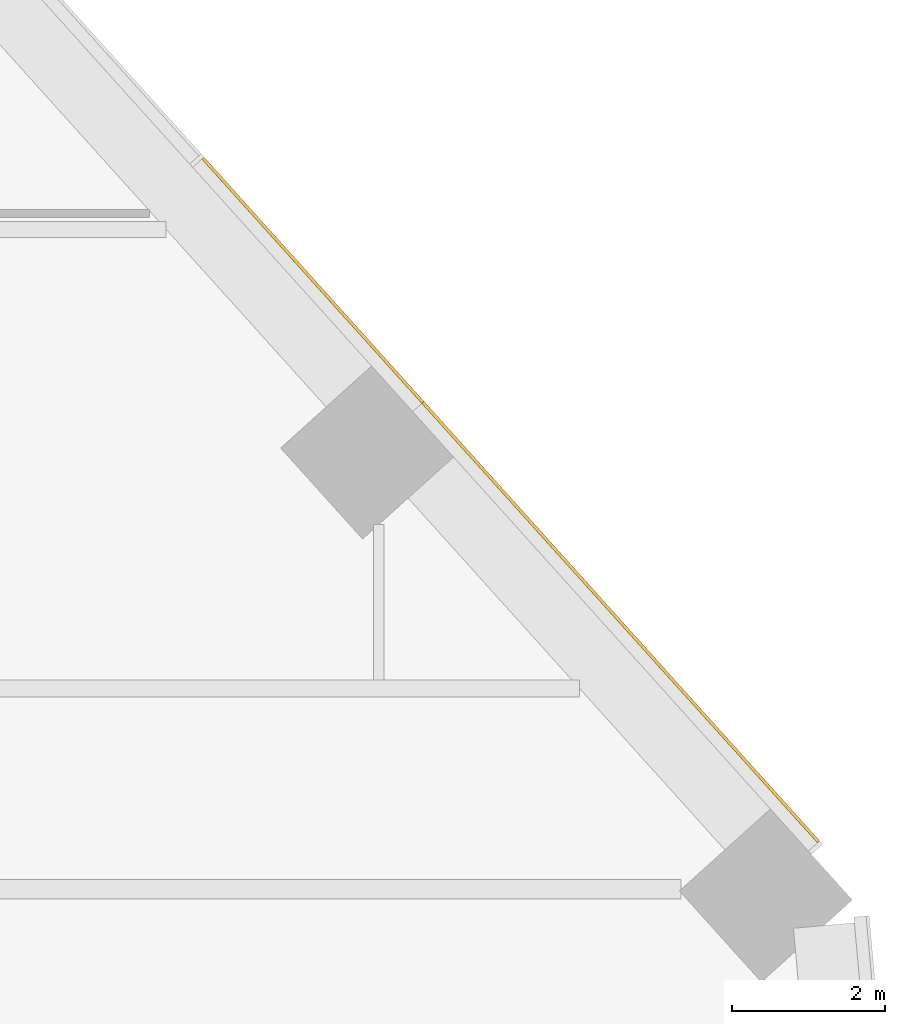
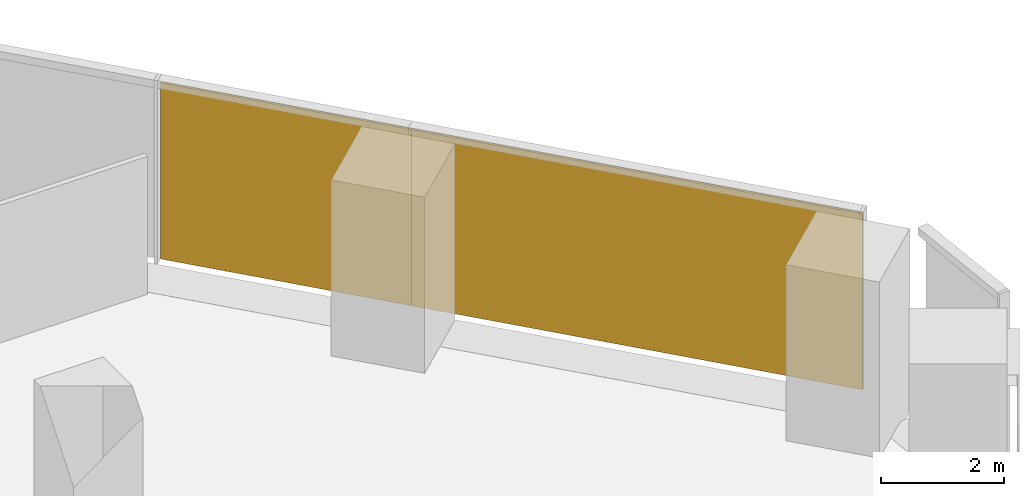
# One storey, part 21 of 21: 2 coverings, 1 element without a shape of its own.
"""IFC4 building model written with IfcOpenShell, lengths in metres."""

import ifcopenshell
import ifcopenshell.guid

model = None  # the IFC model being written
_history = None  # IfcOwnerHistory: only IFC2X3 demands one
_inside = {}  # id of a spatial element -> (the spatial element, [elements in it])
_under = {}  # id of a project, library or spatial element -> (it, [spatial elements below it])
_declared = {}  # id of a project -> (the project, [libraries it declares])
_typed = {}  # id of a type object -> (the type object, [elements of that type])
_made_of = {}  # id of a material, layer set ... -> (it, [elements and type objects made of it])


def new_model(schema):
    """Start an empty IFC model of exactly this schema.

    Asked for "IFC4X3", IfcOpenShell would pick the latest addendum, in which some entities
    have other attributes; the version numbers below select the first issue.
    IFC2X3 requires an IfcOwnerHistory on every rooted entity: one is made here for all.
    """
    global model, _history
    if schema == "IFC4X3":
        model = ifcopenshell.file(schema_version=(4, 3, 0, 0))
    else:
        model = ifcopenshell.file(schema=schema)
    _inside.clear()
    _under.clear()
    _declared.clear()
    _typed.clear()
    _made_of.clear()
    _history = None
    if model.schema == "IFC2X3":
        org = make("IfcOrganization", Name="unknown")
        user = make(
            "IfcPersonAndOrganization",
            ThePerson=make("IfcPerson", FamilyName="unknown"),
            TheOrganization=org,
        )
        app = make(
            "IfcApplication",
            ApplicationDeveloper=org,
            Version="unknown",
            ApplicationFullName="unknown",
            ApplicationIdentifier="unknown",
        )
        _history = make(
            "IfcOwnerHistory",
            OwningUser=user,
            OwningApplication=app,
            ChangeAction="ADDED",
            CreationDate=0,
        )
    return model


def make(cls, **values):
    """One entity of the class cls with the attributes given. An attribute that is None is left unset."""
    return model.create_entity(
        cls, **{name: value for name, value in values.items() if value is not None}
    )


def rooted(cls, **values):
    """An entity with a GlobalId (a new one), such as an element, a storey or a relation."""
    return make(cls, GlobalId=ifcopenshell.guid.new(), OwnerHistory=_history, **values)


def si_unit(unit_type, name, prefix=None):
    """IfcSIUnit, for example si_unit("LENGTHUNIT", "METRE", prefix="MILLI")."""
    return make("IfcSIUnit", UnitType=unit_type, Prefix=prefix, Name=name)


def assignment(units):
    """IfcUnitAssignment: the units of a project."""
    return None if units is None else make("IfcUnitAssignment", Units=units)


def point(xyz):
    """IfcCartesianPoint."""
    return None if xyz is None else make("IfcCartesianPoint", Coordinates=xyz)


def direction(xyz):
    """IfcDirection."""
    return None if xyz is None else make("IfcDirection", DirectionRatios=xyz)


def frame(location, z_axis=None, x_axis=None):
    """IfcAxis2Placement3D, a coordinate frame: its origin and axes. An axis left out is left unset."""
    return make(
        "IfcAxis2Placement3D",
        Location=point(location),
        Axis=direction(z_axis),
        RefDirection=direction(x_axis),
    )


def frame_2d(location, x_axis=None):
    """IfcAxis2Placement2D, a coordinate frame in the plane: its origin and x axis."""
    return make(
        "IfcAxis2Placement2D", Location=point(location), RefDirection=direction(x_axis)
    )


def origin():
    """The frame at (0, 0, 0) with its axes left unset."""
    return frame((0.0, 0.0, 0.0))


def origin_2d():
    """The frame at (0, 0) in the plane with its x axis left unset."""
    return frame_2d((0.0, 0.0))


def place(relative_to, where):
    """IfcLocalPlacement: puts the frame where relative to a parent placement (None: the world)."""
    return make(
        "IfcLocalPlacement", PlacementRelTo=relative_to, RelativePlacement=where
    )


def context(
    kind, dimensions, precision=None, world=None, true_north=None, identifier=None
):
    """IfcGeometricRepresentationContext, for example the 3D "Model" context."""
    return make(
        "IfcGeometricRepresentationContext",
        ContextIdentifier=identifier,
        ContextType=kind,
        CoordinateSpaceDimension=dimensions,
        Precision=precision,
        WorldCoordinateSystem=world,
        TrueNorth=true_north,
    )


def subcontext(parent, identifier, kind, view, scale=None):
    """IfcGeometricRepresentationSubContext, for example "Body" below "Model"."""
    return make(
        "IfcGeometricRepresentationSubContext",
        ContextIdentifier=identifier,
        ContextType=kind,
        ParentContext=parent,
        TargetScale=scale,
        TargetView=view,
    )


def project(units=None, contexts=None):
    """IfcProject with its units and contexts."""
    return rooted(
        "IfcProject",
        Name="project",
        RepresentationContexts=contexts,
        UnitsInContext=assignment(units),
    )


def spatial(cls, under=None, at=None, **own):
    """A site, building, storey or space (cls), placed at a placement, below another one or the project."""
    s = rooted(cls, ObjectPlacement=at, **own)
    if under is not None:
        _under.setdefault(under.id(), (under, []))[1].append(s)
    return s


def profile(cls, at=None, kind="AREA", **sizes):
    """A parametric profile (cls). Its sizes go by their IFC names, for example OverallWidth=200.0."""
    return make(cls, ProfileType=kind, Position=at, **sizes)


def rectangle(**sizes):
    """IfcRectangleProfileDef."""
    return profile("IfcRectangleProfileDef", **sizes)


def extrude(swept, where, along, depth):
    """IfcExtrudedAreaSolid: the profile swept, set in the frame where, extruded along a direction by depth."""
    return make(
        "IfcExtrudedAreaSolid",
        SweptArea=swept,
        Position=where,
        ExtrudedDirection=direction(along),
        Depth=depth,
    )


def shape(context_of_items, identifier, shape_type, items):
    """IfcShapeRepresentation: the items that make up one representation, for example the "Body"."""
    return make(
        "IfcShapeRepresentation",
        ContextOfItems=context_of_items,
        RepresentationIdentifier=identifier,
        RepresentationType=shape_type,
        Items=items,
    )


def material(Name=None, Category=None):
    """IfcMaterial."""
    return make("IfcMaterial", Name=Name, Category=Category)


def layer(
    of_material, thickness, ventilated=None, Name=None, Category=None, Priority=None
):
    """IfcMaterialLayer: one layer of a wall or slab, of a material (None: an air gap)."""
    return make(
        "IfcMaterialLayer",
        Material=of_material,
        LayerThickness=thickness,
        IsVentilated=ventilated,
        Name=Name,
        Category=Category,
        Priority=Priority,
    )


def layer_set(layers, Name=None):
    """IfcMaterialLayerSet."""
    return make("IfcMaterialLayerSet", MaterialLayers=layers, LayerSetName=Name)


def made_of(thing, what):
    """Note that an element or type object is made of a material, layer set ...; save() writes the relation."""
    if what is not None:
        _made_of.setdefault(what.id(), (what, []))[1].append(thing)
    return thing


def type_object(cls, material=None, **own):
    """A type object (cls), such as IfcWallType, which elements share."""
    return made_of(rooted(cls, **own), material)


def element(
    cls,
    number,
    at=None,
    inside=None,
    cuts=None,
    type_object=None,
    material=None,
    context=None,
    identifier="Body",
    shape_type=None,
    held_by="IfcProductDefinitionShape",
    body=None,
    shapes=None,
    **own,
):
    """One element of the class cls, such as IfcWall. Its Tag is "e" and its number.

    at: its placement. inside: the storey or other place that contains it. cuts: it is an
    opening in that element (IfcRelVoidsElement). A single representation is given by context,
    identifier, shape_type and body (its items); several are given by shapes. held_by: the class
    of the entity that holds the representations. save() writes the other relations.
    """
    e = rooted(cls, Tag="e%d" % number, ObjectPlacement=at, **own)
    if body is not None:
        shapes = [shape(context, identifier, shape_type, body)]
    if shapes is not None:
        e.Representation = make(held_by, Representations=shapes)
    if inside is not None:
        _inside.setdefault(inside.id(), (inside, []))[1].append(e)
    if cuts is not None:
        rooted(
            "IfcRelVoidsElement", RelatingBuildingElement=cuts, RelatedOpeningElement=e
        )
    if type_object is not None:
        _typed.setdefault(type_object.id(), (type_object, []))[1].append(e)
    return made_of(e, material)


def aggregate(whole, parts):
    """IfcRelAggregates: a whole, such as a stair, and the parts it consists of."""
    return rooted("IfcRelAggregates", RelatingObject=whole, RelatedObjects=parts)


def save(model, path):
    """Write the relations noted so far, then the file.

    IfcRelAggregates (storeys below a building ...), IfcRelContainedInSpatialStructure (elements
    in a storey), IfcRelDefinesByType, IfcRelAssociatesMaterial and IfcRelDeclares: one each for
    every whole, place, type object, material and project.
    """
    for whole, parts in _under.values():
        aggregate(whole, parts)
    for where, things in _inside.values():
        rooted(
            "IfcRelContainedInSpatialStructure",
            RelatedElements=things,
            RelatingStructure=where,
        )
    for kind, things in _typed.values():
        rooted("IfcRelDefinesByType", RelatedObjects=things, RelatingType=kind)
    for what, things in _made_of.values():
        rooted("IfcRelAssociatesMaterial", RelatedObjects=things, RelatingMaterial=what)
    for by, libraries in _declared.values():
        rooted("IfcRelDeclares", RelatingContext=by, RelatedDefinitions=libraries)
    model.write(path)


model = new_model("IFC4")

# Units and contexts
model_context = context("Model", 3, precision=1e-05, world=origin(), true_north=direction((0.0, 1.0)))
body_context = subcontext(model_context, "Body", "Model", "MODEL_VIEW")
ifc_project = project(units=[si_unit("LENGTHUNIT", "METRE"), si_unit("AREAUNIT", "SQUARE_METRE"), si_unit("VOLUMEUNIT", "CUBIC_METRE"), si_unit("PLANEANGLEUNIT", "RADIAN"), si_unit("MASSUNIT", "GRAM", prefix="KILO")], contexts=[model_context])

# Site, building, storey
site_placement = place(None, origin())
site = spatial("IfcSite", under=ifc_project, at=site_placement, CompositionType="ELEMENT")
building_placement = place(site_placement, origin())
building = spatial("IfcBuilding", under=site, at=building_placement, Name="Isthmus Gate Tower", CompositionType="ELEMENT")
storey_placement = place(building_placement, frame((0.0, 0.0, 106.199951171875)))
storey = spatial("IfcBuildingStorey", under=building, at=storey_placement, Name="L25", CompositionType="ELEMENT", Elevation=106.199951171875)

# Curtain wall, coverings
ifc_material_1 = material(Name="Aluminium, pale champagne anodised", Category="aluminium")
ifc_layer_1 = layer(ifc_material_1, 0.199951171875)
ifc_layer_set_1 = layer_set([ifc_layer_1], Name="CW-1 UNITISED CURTAIN WALL 200 DEEP")
curtain_wall_type = type_object("IfcCurtainWallType", Name="CW-1 UNITISED CURTAIN WALL 200 DEEP", PredefinedType="NOTDEFINED", material=ifc_layer_set_1)
curtain_wall_placement = place(storey_placement, origin())
curtain_wall = element("IfcCurtainWall", 1, at=curtain_wall_placement, inside=storey, type_object=curtain_wall_type, Name="CW-1 NE L25", PredefinedType="NOTDEFINED")
ifc_material_2 = material(Name="Aluminium composite panel, pale champagne anodised", Category="aluminium")
ifc_layer_2 = layer(ifc_material_2, 0.0400390625)
ifc_layer_set_2 = layer_set([ifc_layer_2], Name="CW-1 PALE METAL PANEL 40")
covering_type = type_object("IfcCoveringType", Name="CW-1 PALE METAL PANEL 40", PredefinedType="CLADDING", material=ifc_layer_set_2)
covering_1_placement = place(storey_placement, frame((34.826904296875, 8.367919921875, 0.0), z_axis=(0.0, 0.0, 1.0), x_axis=(-0.669130606359, 0.743144825477, 0.0)))
covering_1 = element("IfcCovering", 2, at=covering_1_placement, type_object=covering_type, Name="CW-1 pale metal panel", PredefinedType="CLADDING", context=body_context, shape_type="SweptSolid", body=[
    extrude(rectangle(XDim=7.729248046875, YDim=0.0400390625, at=origin_2d()), origin(), (0.0, 0.0, 1.0), 3.5),
])
covering_2_placement = place(storey_placement, frame((30.80419921875, 12.835693359375, 0.0), z_axis=(0.0, 0.0, 1.0), x_axis=(-0.669130606359, 0.743144825477, 0.0)))
covering_2 = element("IfcCovering", 3, at=covering_2_placement, type_object=covering_type, Name="CW-1 pale metal panel", PredefinedType="CLADDING", context=body_context, shape_type="SweptSolid", body=[
    extrude(rectangle(XDim=4.294677734375, YDim=0.0400390625, at=origin_2d()), origin(), (0.0, 0.0, 1.0), 3.5),
])
aggregate(curtain_wall, [covering_1, covering_2])

save(model, "model.ifc")
